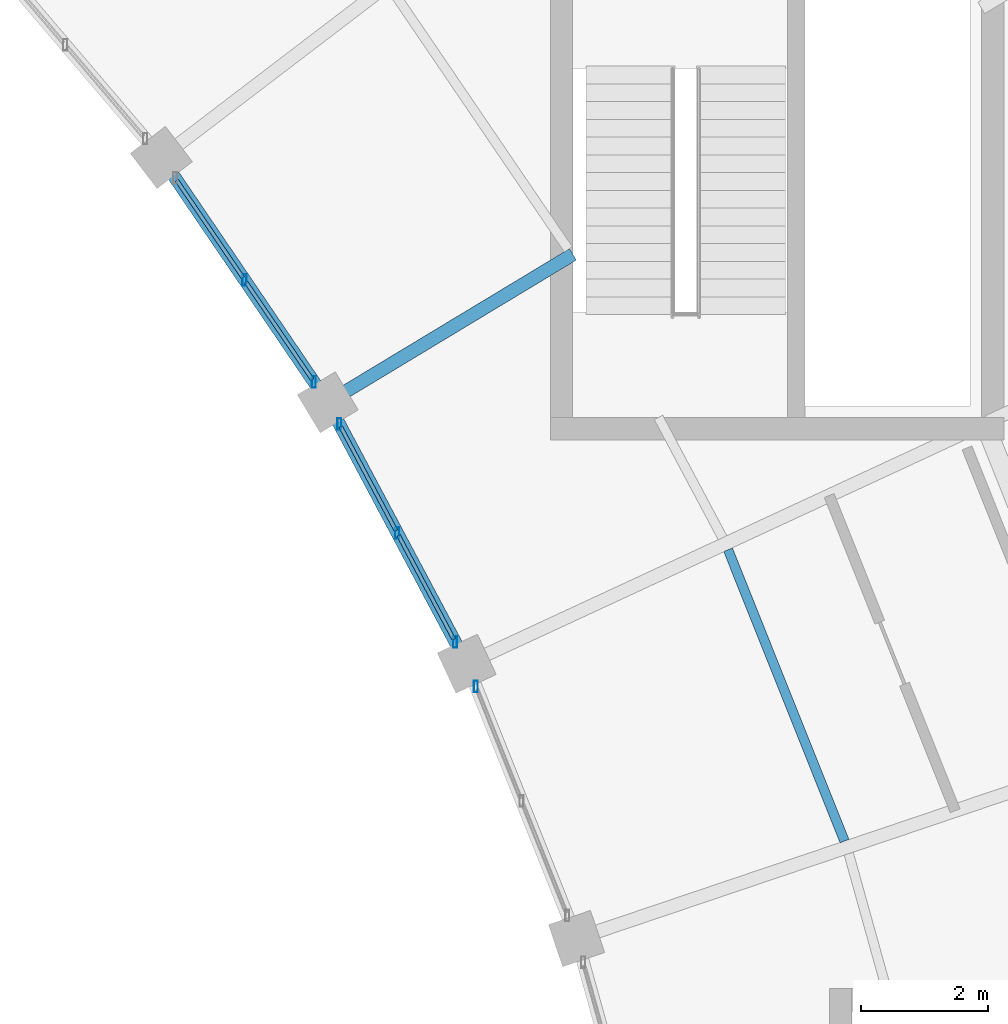
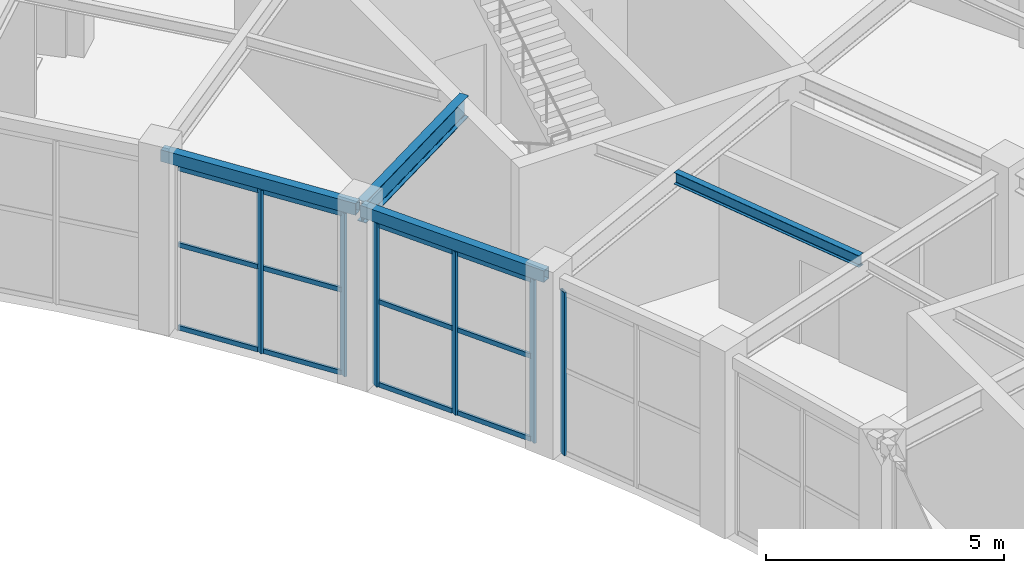
# One storey, part 61 of 100: 18 members, 4 beams, 3 elements without a shape of their own.
"""IFC4 building model written with IfcOpenShell, lengths in metres."""

from ifc_helpers import new_model, si_unit, direction, frame, origin, origin_2d, place, context, subcontext, project, spatial, hollow_rectangle, i_section, extrude, material, material_profile, profile_set, type_object, element, aggregate, save


model = new_model("IFC4")

# Units and contexts
model_context = context("Model", 3, precision=1e-05, world=origin(), true_north=direction((0.0, 1.0)))
body_context = subcontext(model_context, "Body", "Model", "MODEL_VIEW")
ifc_project = project(units=[si_unit("LENGTHUNIT", "METRE"), si_unit("AREAUNIT", "SQUARE_METRE"), si_unit("VOLUMEUNIT", "CUBIC_METRE"), si_unit("PLANEANGLEUNIT", "RADIAN"), si_unit("MASSUNIT", "GRAM", prefix="KILO")], contexts=[model_context])

# Site, building, storey
site_placement = place(None, origin())
site = spatial("IfcSite", under=ifc_project, at=site_placement, CompositionType="ELEMENT")
building_placement = place(site_placement, origin())
building = spatial("IfcBuilding", under=site, at=building_placement, Name="Tarnveldt Headland Concert Hall", CompositionType="ELEMENT")
storey_placement = place(building_placement, frame((0.0, 0.0, 4.800048828125)))
storey = spatial("IfcBuildingStorey", under=building, at=storey_placement, Name="L01", CompositionType="ELEMENT", Elevation=4.800048828125)

# Curtain wall, member
ifc_material_1 = material(Name="Marine-anodised aluminium EN AW-6063-T6", Category="aluminium")
curtain_wall_type = type_object("IfcCurtainWallType", Name="CW-C2", PredefinedType="NOTDEFINED", material=ifc_material_1)
curtain_wall_1_placement = place(storey_placement, origin())
curtain_wall_1 = element("IfcCurtainWall", 1, at=curtain_wall_1_placement, inside=storey, type_object=curtain_wall_type, Name="Curtain wall CW-L01-117", PredefinedType="NOTDEFINED")
ifc_material_profile_1 = material_profile(ifc_material_1, hollow_rectangle(XDim=0.06494140625, YDim=0.179931640625, WallThickness=0.00390625, at=origin_2d()), Name="ALU MULLION 65x180x4", Category="aluminium")
ifc_profile_set_1 = profile_set([ifc_material_profile_1], Name="Marine-anodised aluminium EN AW-6063-T6")
member_type_1 = type_object("IfcMemberType", Name="ML-180", PredefinedType="MULLION", material=ifc_profile_set_1)
member_1_placement = place(storey_placement, frame((156.651123046875, 77.73486328125, 0.0), z_axis=(0.0, 0.0, 1.0), x_axis=(1.0, 0.0, 0.0)))
member_1 = element("IfcMember", 2, at=member_1_placement, type_object=member_type_1, Name="Mullion CW-L01-117-3", PredefinedType="MULLION", context=body_context, shape_type="SweptSolid", body=[
    extrude(hollow_rectangle(XDim=0.06494140625, YDim=0.179931640625, WallThickness=0.00390625, at=origin_2d()), origin(), (0.0, 0.0, 1.0), 4.179931640625),
])
aggregate(curtain_wall_1, [member_1])

# Curtain wall, members
curtain_wall_2_placement = place(storey_placement, origin())
curtain_wall_2 = element("IfcCurtainWall", 3, at=curtain_wall_2_placement, inside=storey, type_object=curtain_wall_type, Name="Curtain wall CW-L01-118", PredefinedType="NOTDEFINED")
member_2_placement = place(storey_placement, frame((156.3232421875, 78.44140625, 0.0), z_axis=(0.0, 0.0, 1.0), x_axis=(1.0, 0.0, 0.0)))
member_2 = element("IfcMember", 4, at=member_2_placement, type_object=member_type_1, Name="Mullion CW-L01-118-1", PredefinedType="MULLION", context=body_context, shape_type="SweptSolid", body=[
    extrude(hollow_rectangle(XDim=0.06494140625, YDim=0.179931640625, WallThickness=0.00390625, at=origin_2d()), origin(), (0.0, 0.0, 1.0), 4.179931640625),
])
member_3_placement = place(storey_placement, frame((155.410888671875, 80.15771484375, 0.0), z_axis=(0.0, 0.0, 1.0), x_axis=(1.0, 0.0, 0.0)))
member_3 = element("IfcMember", 5, at=member_3_placement, type_object=member_type_1, Name="Mullion CW-L01-118-2", PredefinedType="MULLION", context=body_context, shape_type="SweptSolid", body=[
    extrude(hollow_rectangle(XDim=0.06494140625, YDim=0.179931640625, WallThickness=0.00390625, at=origin_2d()), origin(), (0.0, 0.0, 1.0), 4.179931640625),
])
member_4_placement = place(storey_placement, frame((154.498291015625, 81.873779296875, 0.0), z_axis=(0.0, 0.0, 1.0), x_axis=(1.0, 0.0, 0.0)))
member_4 = element("IfcMember", 6, at=member_4_placement, type_object=member_type_1, Name="Mullion CW-L01-118-3", PredefinedType="MULLION", context=body_context, shape_type="SweptSolid", body=[
    extrude(hollow_rectangle(XDim=0.06494140625, YDim=0.179931640625, WallThickness=0.00390625, at=origin_2d()), origin(), (0.0, 0.0, 1.0), 4.179931640625),
])

curtain_wall_3_placement = place(storey_placement, origin())
curtain_wall_3 = element("IfcCurtainWall", 7, at=curtain_wall_3_placement, inside=storey, type_object=curtain_wall_type, Name="Curtain wall CW-L01-119", PredefinedType="NOTDEFINED")
member_5_placement = place(storey_placement, frame((154.095947265625, 82.54052734375, 0.0), z_axis=(0.0, 0.0, 1.0), x_axis=(1.0, 0.0, 0.0)))
member_5 = element("IfcMember", 8, at=member_5_placement, type_object=member_type_1, Name="Mullion CW-L01-119-1", PredefinedType="MULLION", context=body_context, shape_type="SweptSolid", body=[
    extrude(hollow_rectangle(XDim=0.06494140625, YDim=0.179931640625, WallThickness=0.00390625, at=origin_2d()), origin(), (0.0, 0.0, 1.0), 4.179931640625),
])
member_6_placement = place(storey_placement, frame((153.002685546875, 84.147705078125, 0.0), z_axis=(0.0, 0.0, 1.0), x_axis=(1.0, 0.0, 0.0)))
member_6 = element("IfcMember", 9, at=member_6_placement, type_object=member_type_1, Name="Mullion CW-L01-119-2", PredefinedType="MULLION", context=body_context, shape_type="SweptSolid", body=[
    extrude(hollow_rectangle(XDim=0.06494140625, YDim=0.179931640625, WallThickness=0.00390625, at=origin_2d()), origin(), (0.0, 0.0, 1.0), 4.179931640625),
])

# Beams
ifc_material_2 = material(Name="Steel S355", Category="steel")
ifc_material_profile_2 = material_profile(ifc_material_2, i_section(OverallWidth=0.14990234375, OverallDepth=0.300048828125, WebThickness=0.007080078125, FlangeThickness=0.0107421875, FilletRadius=0.014892578125, at=origin_2d()), Name="IPE300", Category="steel")
ifc_profile_set_2 = profile_set([ifc_material_profile_2], Name="Steel S355")
beam_type_1 = type_object("IfcBeamType", Name="SB-IPE300", PredefinedType="JOIST", material=ifc_profile_set_2)
beam_1_placement = place(storey_placement, frame((162.46240234375, 75.30029296875, 4.389892578125), z_axis=(-0.370999157562, 0.928633202663, 0.0), x_axis=(-0.928633202663, -0.370999157562, 0.0)))
element("IfcBeam", 10, at=beam_1_placement, inside=storey, type_object=beam_type_1, Name="Framing beam L01-825", PredefinedType="JOIST", context=body_context, shape_type="SweptSolid", body=[
    extrude(i_section(OverallWidth=0.14990234375, OverallDepth=0.300048828125, WebThickness=0.007080078125, FlangeThickness=0.0107421875, FilletRadius=0.014892578125, at=origin_2d()), origin(), (0.0, 0.0, 1.0), 4.946044921875),
])
ifc_material_profile_3 = material_profile(ifc_material_2, i_section(OverallWidth=0.2099609375, OverallDepth=0.550048828125, WebThickness=0.010986328125, FlangeThickness=0.01708984375, FilletRadius=0.02392578125, at=origin_2d()), Name="IPE550", Category="steel")
ifc_profile_set_3 = profile_set([ifc_material_profile_3], Name="Steel S355")
beam_type_2 = type_object("IfcBeamType", Name="SB-IPE550", PredefinedType="BEAM", material=ifc_profile_set_3)
beam_2_placement = place(storey_placement, frame((154.36669921875, 82.2490234375, 4.264892578125), z_axis=(0.856145433593, 0.516734938375, 0.0), x_axis=(-0.516734938375, 0.856145433593, 0.0)))
element("IfcBeam", 11, at=beam_2_placement, inside=storey, type_object=beam_type_2, Name="Framing beam L01-833", PredefinedType="BEAM", context=body_context, shape_type="SweptSolid", body=[
    extrude(i_section(OverallWidth=0.2099609375, OverallDepth=0.550048828125, WebThickness=0.010986328125, FlangeThickness=0.01708984375, FilletRadius=0.02392578125, at=origin_2d()), origin(), (0.0, 0.0, 1.0), 4.453857421875),
])
ifc_material_profile_4 = material_profile(ifc_material_2, hollow_rectangle(XDim=0.199951171875, YDim=0.300048828125, WallThickness=0.012451171875, at=origin_2d()), Name="RHS 300x200x12.5", Category="steel")
ifc_profile_set_4 = profile_set([ifc_material_profile_4], Name="Steel S355")
beam_type_3 = type_object("IfcBeamType", Name="SB-RHS300", PredefinedType="SPANDREL", material=ifc_profile_set_4)
beam_3_placement = place(storey_placement, frame((156.478271484375, 78.14990234375, 4.389892578125), z_axis=(-0.469450914916, 0.882958571216, 0.0), x_axis=(-0.882958571216, -0.469450914916, 0.0)))
element("IfcBeam", 12, at=beam_3_placement, inside=storey, type_object=beam_type_3, Name="Framing beam L01-829", PredefinedType="SPANDREL", context=body_context, shape_type="SweptSolid", body=[
    extrude(hollow_rectangle(XDim=0.199951171875, YDim=0.300048828125, WallThickness=0.012451171875, at=origin_2d()), origin(), (0.0, 0.0, 1.0), 4.54736328125),
])
beam_4_placement = place(storey_placement, frame((154.281494140625, 82.267578125, 4.389892578125), z_axis=(-0.562406932975, 0.826860593898, 0.0), x_axis=(-0.826860593898, -0.562406932975, 0.0)))
element("IfcBeam", 13, at=beam_4_placement, inside=storey, type_object=beam_type_3, Name="Framing beam L01-835", PredefinedType="SPANDREL", context=body_context, shape_type="SweptSolid", body=[
    extrude(hollow_rectangle(XDim=0.199951171875, YDim=0.300048828125, WallThickness=0.012451171875, at=origin_2d()), origin(), (0.0, 0.0, 1.0), 4.547607421875),
])

# Member
ifc_material_profile_5 = material_profile(ifc_material_1, hollow_rectangle(XDim=0.06005859375, YDim=0.1201171875, WallThickness=0.00390625, at=origin_2d()), Name="ALU TRANSOM 60x120x4", Category="aluminium")
ifc_profile_set_5 = profile_set([ifc_material_profile_5], Name="Marine-anodised aluminium EN AW-6063-T6")
member_type_2 = type_object("IfcMemberType", Name="TR-110", PredefinedType="MEMBER", material=ifc_profile_set_5)
member_7_placement = place(storey_placement, frame((156.302490234375, 78.480712890625, 0.050048828125), z_axis=(-0.469501641812, 0.8829315989, 0.0), x_axis=(-0.8829315989, -0.469501641812, 0.0)))
member_7 = element("IfcMember", 14, at=member_7_placement, type_object=member_type_2, Name="Transom CW-L01-118-1-1", PredefinedType="MEMBER", context=body_context, shape_type="SweptSolid", body=[
    extrude(hollow_rectangle(XDim=0.06005859375, YDim=0.1201171875, WallThickness=0.00390625, at=origin_2d()), origin(), (0.0, 0.0, 1.0), 1.854736328125),
])

member_8_placement = place(storey_placement, frame((156.302490234375, 78.480712890625, 2.173583984375), z_axis=(-0.469501641812, 0.8829315989, 0.0), x_axis=(-0.8829315989, -0.469501641812, 0.0)))
member_8 = element("IfcMember", 15, at=member_8_placement, type_object=member_type_2, Name="Transom CW-L01-118-1-2", PredefinedType="MEMBER", context=body_context, shape_type="SweptSolid", body=[
    extrude(hollow_rectangle(XDim=0.06005859375, YDim=0.1201171875, WallThickness=0.00390625, at=origin_2d()), origin(), (0.0, 0.0, 1.0), 1.854736328125),
])

member_9_placement = place(storey_placement, frame((156.302490234375, 78.480712890625, 4.1298828125), z_axis=(-0.469501641812, 0.8829315989, 0.0), x_axis=(-0.8829315989, -0.469501641812, 0.0)))
member_9 = element("IfcMember", 16, at=member_9_placement, type_object=member_type_2, Name="Transom CW-L01-118-1-3", PredefinedType="MEMBER", context=body_context, shape_type="SweptSolid", body=[
    extrude(hollow_rectangle(XDim=0.06005859375, YDim=0.1201171875, WallThickness=0.00390625, at=origin_2d()), origin(), (0.0, 0.0, 1.0), 1.854736328125),
])

member_10_placement = place(storey_placement, frame((155.389892578125, 80.19677734375, 0.050048828125), z_axis=(-0.469399022669, 0.882986159301, 0.0), x_axis=(-0.882986159301, -0.469399022669, 0.0)))
member_10 = element("IfcMember", 17, at=member_10_placement, type_object=member_type_2, Name="Transom CW-L01-118-2-1", PredefinedType="MEMBER", context=body_context, shape_type="SweptSolid", body=[
    extrude(hollow_rectangle(XDim=0.06005859375, YDim=0.1201171875, WallThickness=0.00390625, at=origin_2d()), origin(), (0.0, 0.0, 1.0), 1.854736328125),
])

member_11_placement = place(storey_placement, frame((155.389892578125, 80.19677734375, 2.173583984375), z_axis=(-0.469399022669, 0.882986159301, 0.0), x_axis=(-0.882986159301, -0.469399022669, 0.0)))
member_11 = element("IfcMember", 18, at=member_11_placement, type_object=member_type_2, Name="Transom CW-L01-118-2-2", PredefinedType="MEMBER", context=body_context, shape_type="SweptSolid", body=[
    extrude(hollow_rectangle(XDim=0.06005859375, YDim=0.1201171875, WallThickness=0.00390625, at=origin_2d()), origin(), (0.0, 0.0, 1.0), 1.854736328125),
])

member_12_placement = place(storey_placement, frame((155.389892578125, 80.19677734375, 4.1298828125), z_axis=(-0.469399022669, 0.882986159301, 0.0), x_axis=(-0.882986159301, -0.469399022669, 0.0)))
member_12 = element("IfcMember", 19, at=member_12_placement, type_object=member_type_2, Name="Transom CW-L01-118-2-3", PredefinedType="MEMBER", context=body_context, shape_type="SweptSolid", body=[
    extrude(hollow_rectangle(XDim=0.06005859375, YDim=0.1201171875, WallThickness=0.00390625, at=origin_2d()), origin(), (0.0, 0.0, 1.0), 1.854736328125),
])

aggregate(curtain_wall_2, [member_2, member_3, member_4, member_7, member_8, member_9, member_10, member_11, member_12])

member_13_placement = place(storey_placement, frame((154.07080078125, 82.577392578125, 0.050048828125), z_axis=(-0.562421621535, 0.826850602969, 0.0), x_axis=(-0.826850602969, -0.562421621535, 0.0)))
member_13 = element("IfcMember", 20, at=member_13_placement, type_object=member_type_2, Name="Transom CW-L01-119-1-1", PredefinedType="MEMBER", context=body_context, shape_type="SweptSolid", body=[
    extrude(hollow_rectangle(XDim=0.06005859375, YDim=0.1201171875, WallThickness=0.00390625, at=origin_2d()), origin(), (0.0, 0.0, 1.0), 1.85498046875),
])

member_14_placement = place(storey_placement, frame((154.07080078125, 82.577392578125, 2.173583984375), z_axis=(-0.562421621535, 0.826850602969, 0.0), x_axis=(-0.826850602969, -0.562421621535, 0.0)))
member_14 = element("IfcMember", 21, at=member_14_placement, type_object=member_type_2, Name="Transom CW-L01-119-1-2", PredefinedType="MEMBER", context=body_context, shape_type="SweptSolid", body=[
    extrude(hollow_rectangle(XDim=0.06005859375, YDim=0.1201171875, WallThickness=0.00390625, at=origin_2d()), origin(), (0.0, 0.0, 1.0), 1.85498046875),
])

member_15_placement = place(storey_placement, frame((154.07080078125, 82.577392578125, 4.1298828125), z_axis=(-0.562421621535, 0.826850602969, 0.0), x_axis=(-0.826850602969, -0.562421621535, 0.0)))
member_15 = element("IfcMember", 22, at=member_15_placement, type_object=member_type_2, Name="Transom CW-L01-119-1-3", PredefinedType="MEMBER", context=body_context, shape_type="SweptSolid", body=[
    extrude(hollow_rectangle(XDim=0.06005859375, YDim=0.1201171875, WallThickness=0.00390625, at=origin_2d()), origin(), (0.0, 0.0, 1.0), 1.85498046875),
])

member_16_placement = place(storey_placement, frame((152.977783203125, 84.1845703125, 0.050048828125), z_axis=(-0.562482836063, 0.826808961692, 0.0), x_axis=(-0.826808961692, -0.562482836063, 0.0)))
member_16 = element("IfcMember", 23, at=member_16_placement, type_object=member_type_2, Name="Transom CW-L01-119-2-1", PredefinedType="MEMBER", context=body_context, shape_type="SweptSolid", body=[
    extrude(hollow_rectangle(XDim=0.06005859375, YDim=0.1201171875, WallThickness=0.00390625, at=origin_2d()), origin(), (0.0, 0.0, 1.0), 1.854736328125),
])

member_17_placement = place(storey_placement, frame((152.977783203125, 84.1845703125, 2.173583984375), z_axis=(-0.562482836063, 0.826808961692, 0.0), x_axis=(-0.826808961692, -0.562482836063, 0.0)))
member_17 = element("IfcMember", 24, at=member_17_placement, type_object=member_type_2, Name="Transom CW-L01-119-2-2", PredefinedType="MEMBER", context=body_context, shape_type="SweptSolid", body=[
    extrude(hollow_rectangle(XDim=0.06005859375, YDim=0.1201171875, WallThickness=0.00390625, at=origin_2d()), origin(), (0.0, 0.0, 1.0), 1.854736328125),
])

member_18_placement = place(storey_placement, frame((152.977783203125, 84.1845703125, 4.1298828125), z_axis=(-0.562482836063, 0.826808961692, 0.0), x_axis=(-0.826808961692, -0.562482836063, 0.0)))
member_18 = element("IfcMember", 25, at=member_18_placement, type_object=member_type_2, Name="Transom CW-L01-119-2-3", PredefinedType="MEMBER", context=body_context, shape_type="SweptSolid", body=[
    extrude(hollow_rectangle(XDim=0.06005859375, YDim=0.1201171875, WallThickness=0.00390625, at=origin_2d()), origin(), (0.0, 0.0, 1.0), 1.854736328125),
])

aggregate(curtain_wall_3, [member_5, member_6, member_13, member_14, member_15, member_16, member_17, member_18])

save(model, "model.ifc")
